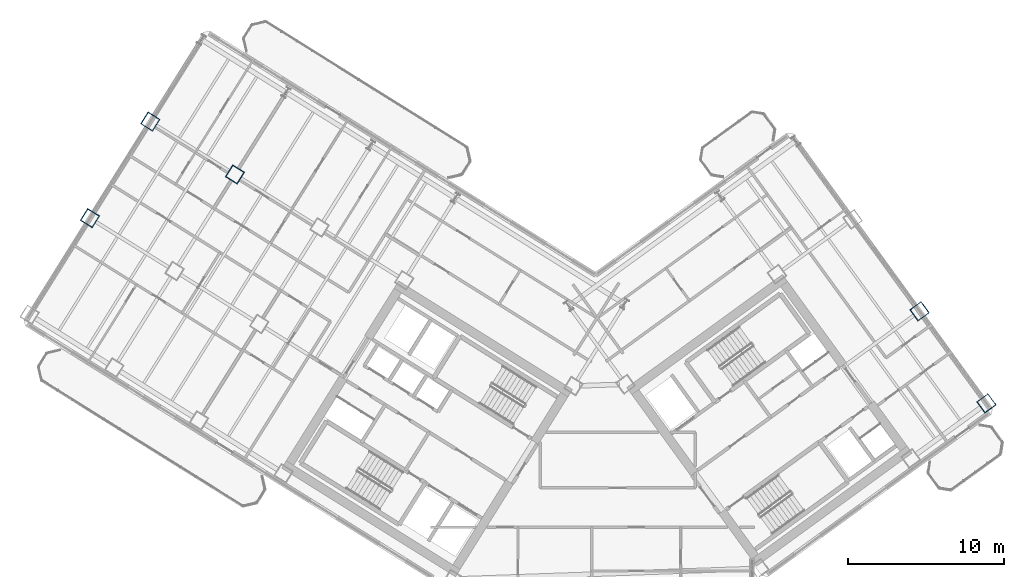
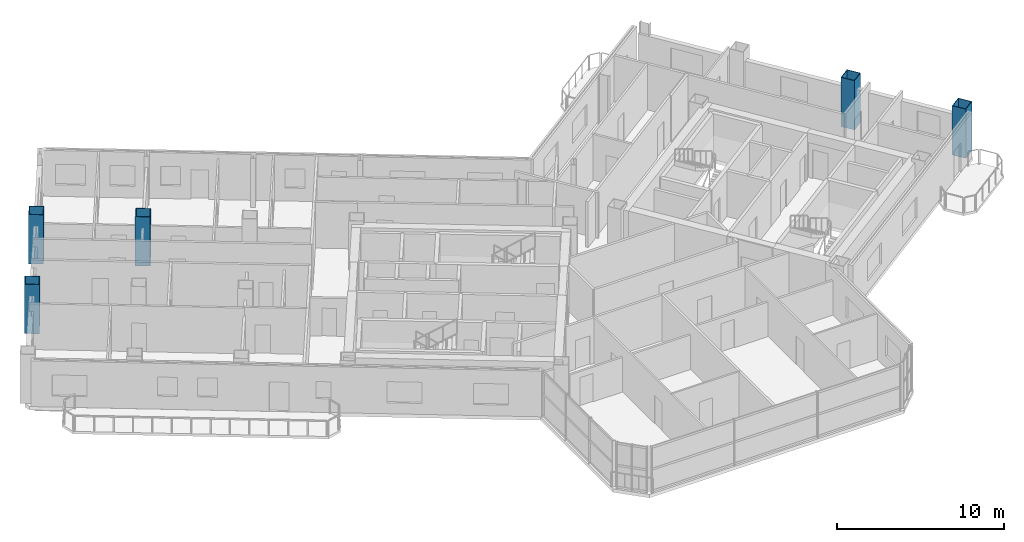
# One storey, part 2 of 21: 5 columns.
"""IFC4 building model written with IfcOpenShell, lengths in metres."""

from ifc_helpers import new_model, si_unit, direction, frame, origin, origin_2d, place, context, subcontext, project, spatial, hollow_rectangle, extrude, source, transform, mapped, material, material_profile, profile_set, type_object, element, save


model = new_model("IFC4")

# Units and contexts
model_context = context("Model", 3, precision=1e-05, world=origin(), true_north=direction((0.0, 1.0)))
body_context = subcontext(model_context, "Body", "Model", "MODEL_VIEW")
ifc_project = project(units=[si_unit("LENGTHUNIT", "METRE"), si_unit("AREAUNIT", "SQUARE_METRE"), si_unit("VOLUMEUNIT", "CUBIC_METRE"), si_unit("PLANEANGLEUNIT", "RADIAN"), si_unit("MASSUNIT", "GRAM", prefix="KILO")], contexts=[model_context])

# Site, building, storey
site_placement = place(None, origin())
site = spatial("IfcSite", under=ifc_project, at=site_placement, CompositionType="ELEMENT")
building_placement = place(site_placement, origin())
building = spatial("IfcBuilding", under=site, at=building_placement, Name="Tlacorven Tower", CompositionType="ELEMENT")
storey_placement = place(building_placement, frame((0.0, 0.0, 119.699951171875)))
storey = spatial("IfcBuildingStorey", under=building, at=storey_placement, Name="L30", CompositionType="ELEMENT", Elevation=119.699951171875)

# Columns
ifc_material = material(Name="Steel S460M", Category="steel")
ifc_material_profile = material_profile(ifc_material, hollow_rectangle(XDim=0.89990234375, YDim=0.89990234375, WallThickness=0.035888671875, at=origin_2d()), Name="BOX 900X900X36")
ifc_profile_set = profile_set([ifc_material_profile], Name="Steel S460M")
column_type = type_object("IfcColumnType", Name="COL-TWR-S2", PredefinedType="COLUMN", material=ifc_profile_set)
shared_shape = source(origin(), body_context, "Body", "SweptSolid", [
    extrude(hollow_rectangle(XDim=0.89990234375, YDim=0.89990234375, WallThickness=0.035888671875, at=origin_2d()), origin(), (0.0, 0.0, 1.0), 3.60009765625),
])
for number, where, z_axis, x_axis, name in (
    (1, (19.072998046875, 38.034423828125, 0.0), (0.0, 0.0, 1.0), (-0.848048096156, 0.529919264233, 0.0), "L30 column COL-L30-W5-2"),
    (2, (13.6455078125, 41.42578125, 0.0), (0.0, 0.0, 1.0), (-0.848048096156, 0.529919264233, 0.0), "L30 column COL-L30-W6-2"),
    (3, (9.777099609375, 35.235107421875, 0.0), (0.0, 0.0, 1.0), (-0.848048096156, 0.529919264233, 0.0), "L30 column COL-L30-W6-3"),
    (4, (67.267822265625, 23.353515625, 0.0), (0.0, 0.0, 1.0), (0.809016994375, 0.587785252292, 0.0), "L30 column COL-L30-E4-1"),
    (5, (62.976806640625, 29.25927734375, 0.0), (0.0, 0.0, 1.0), (0.809016994375, 0.587785252292, 0.0), "L30 column COL-L30-E4-2"),
):
    element("IfcColumn", number, at=place(storey_placement, frame(where, z_axis=z_axis, x_axis=x_axis)), inside=storey, type_object=column_type, Name=name, PredefinedType="COLUMN", context=body_context, shape_type="MappedRepresentation", body=[
        mapped(shared_shape, transform((0.0, 0.0, 0.0), scale=1.0)),
    ])

save(model, "model.ifc")
